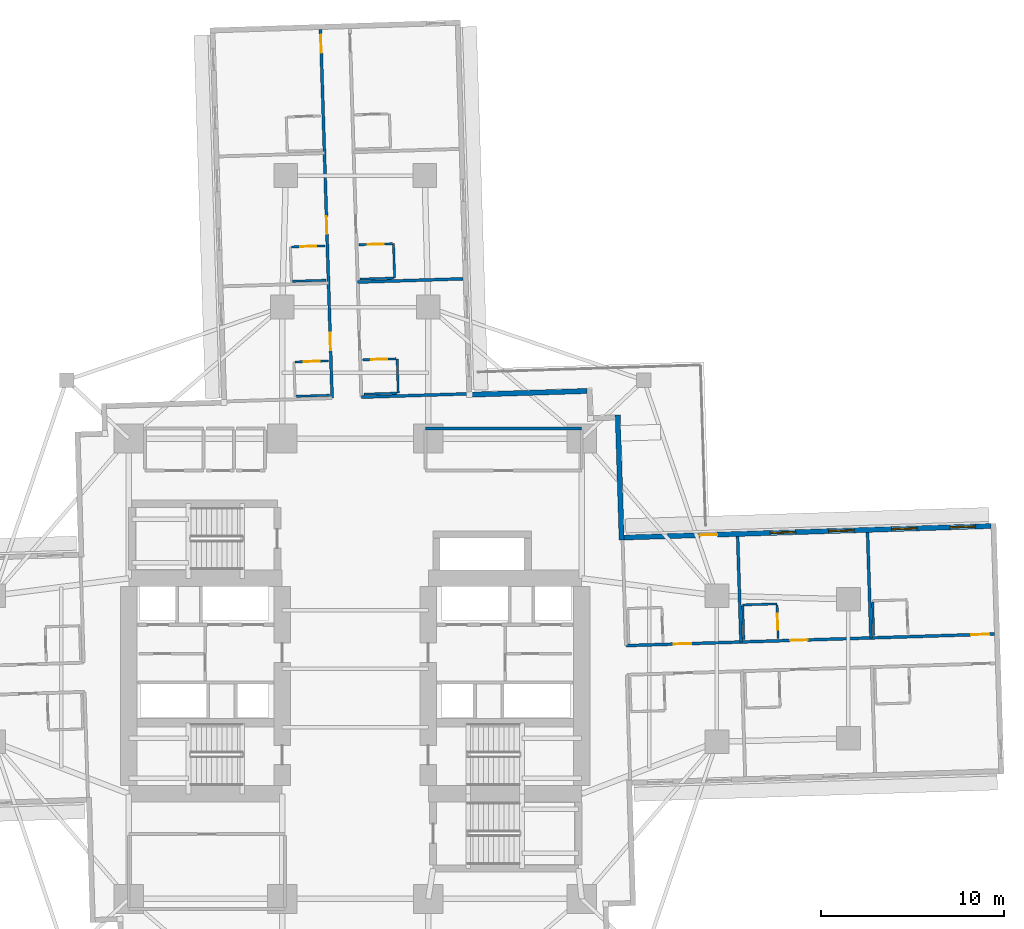
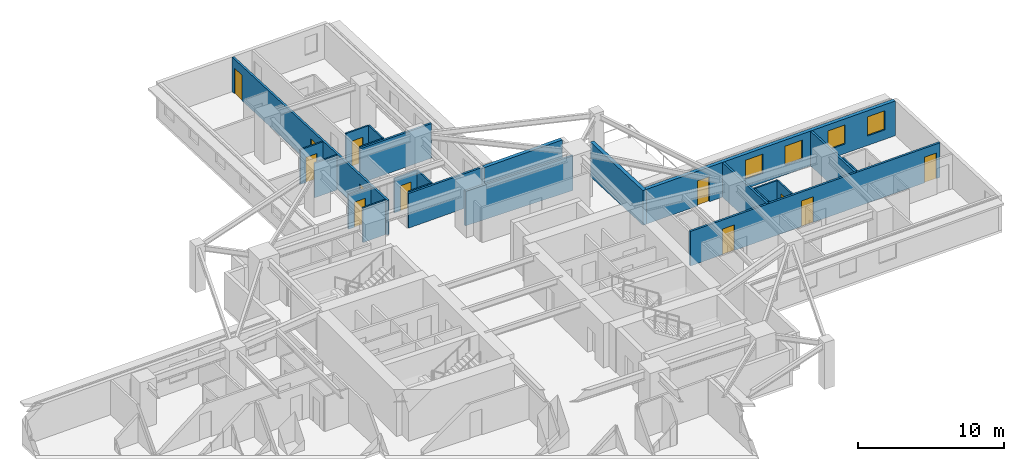
# One storey, part 8 of 15: 24 walls, 12 doors, 4 windows, 16 openings.
"""IFC4 building model written with IfcOpenShell, lengths in metres."""

import ifcopenshell
import ifcopenshell.guid

model = None  # the IFC model being written
_history = None  # IfcOwnerHistory: only IFC2X3 demands one
_inside = {}  # id of a spatial element -> (the spatial element, [elements in it])
_under = {}  # id of a project, library or spatial element -> (it, [spatial elements below it])
_declared = {}  # id of a project -> (the project, [libraries it declares])
_typed = {}  # id of a type object -> (the type object, [elements of that type])
_made_of = {}  # id of a material, layer set ... -> (it, [elements and type objects made of it])


def new_model(schema):
    """Start an empty IFC model of exactly this schema.

    Asked for "IFC4X3", IfcOpenShell would pick the latest addendum, in which some entities
    have other attributes; the version numbers below select the first issue.
    IFC2X3 requires an IfcOwnerHistory on every rooted entity: one is made here for all.
    """
    global model, _history
    if schema == "IFC4X3":
        model = ifcopenshell.file(schema_version=(4, 3, 0, 0))
    else:
        model = ifcopenshell.file(schema=schema)
    _inside.clear()
    _under.clear()
    _declared.clear()
    _typed.clear()
    _made_of.clear()
    _history = None
    if model.schema == "IFC2X3":
        org = make("IfcOrganization", Name="unknown")
        user = make(
            "IfcPersonAndOrganization",
            ThePerson=make("IfcPerson", FamilyName="unknown"),
            TheOrganization=org,
        )
        app = make(
            "IfcApplication",
            ApplicationDeveloper=org,
            Version="unknown",
            ApplicationFullName="unknown",
            ApplicationIdentifier="unknown",
        )
        _history = make(
            "IfcOwnerHistory",
            OwningUser=user,
            OwningApplication=app,
            ChangeAction="ADDED",
            CreationDate=0,
        )
    return model


def make(cls, **values):
    """One entity of the class cls with the attributes given. An attribute that is None is left unset."""
    return model.create_entity(
        cls, **{name: value for name, value in values.items() if value is not None}
    )


def rooted(cls, **values):
    """An entity with a GlobalId (a new one), such as an element, a storey or a relation."""
    return make(cls, GlobalId=ifcopenshell.guid.new(), OwnerHistory=_history, **values)


def si_unit(unit_type, name, prefix=None):
    """IfcSIUnit, for example si_unit("LENGTHUNIT", "METRE", prefix="MILLI")."""
    return make("IfcSIUnit", UnitType=unit_type, Prefix=prefix, Name=name)


def assignment(units):
    """IfcUnitAssignment: the units of a project."""
    return None if units is None else make("IfcUnitAssignment", Units=units)


def point(xyz):
    """IfcCartesianPoint."""
    return None if xyz is None else make("IfcCartesianPoint", Coordinates=xyz)


def direction(xyz):
    """IfcDirection."""
    return None if xyz is None else make("IfcDirection", DirectionRatios=xyz)


def frame(location, z_axis=None, x_axis=None):
    """IfcAxis2Placement3D, a coordinate frame: its origin and axes. An axis left out is left unset."""
    return make(
        "IfcAxis2Placement3D",
        Location=point(location),
        Axis=direction(z_axis),
        RefDirection=direction(x_axis),
    )


def frame_2d(location, x_axis=None):
    """IfcAxis2Placement2D, a coordinate frame in the plane: its origin and x axis."""
    return make(
        "IfcAxis2Placement2D", Location=point(location), RefDirection=direction(x_axis)
    )


def origin():
    """The frame at (0, 0, 0) with its axes left unset."""
    return frame((0.0, 0.0, 0.0))


def place(relative_to, where):
    """IfcLocalPlacement: puts the frame where relative to a parent placement (None: the world)."""
    return make(
        "IfcLocalPlacement", PlacementRelTo=relative_to, RelativePlacement=where
    )


def context(
    kind, dimensions, precision=None, world=None, true_north=None, identifier=None
):
    """IfcGeometricRepresentationContext, for example the 3D "Model" context."""
    return make(
        "IfcGeometricRepresentationContext",
        ContextIdentifier=identifier,
        ContextType=kind,
        CoordinateSpaceDimension=dimensions,
        Precision=precision,
        WorldCoordinateSystem=world,
        TrueNorth=true_north,
    )


def subcontext(parent, identifier, kind, view, scale=None):
    """IfcGeometricRepresentationSubContext, for example "Body" below "Model"."""
    return make(
        "IfcGeometricRepresentationSubContext",
        ContextIdentifier=identifier,
        ContextType=kind,
        ParentContext=parent,
        TargetScale=scale,
        TargetView=view,
    )


def project(units=None, contexts=None):
    """IfcProject with its units and contexts."""
    return rooted(
        "IfcProject",
        Name="project",
        RepresentationContexts=contexts,
        UnitsInContext=assignment(units),
    )


def spatial(cls, under=None, at=None, **own):
    """A site, building, storey or space (cls), placed at a placement, below another one or the project."""
    s = rooted(cls, ObjectPlacement=at, **own)
    if under is not None:
        _under.setdefault(under.id(), (under, []))[1].append(s)
    return s


def profile(cls, at=None, kind="AREA", **sizes):
    """A parametric profile (cls). Its sizes go by their IFC names, for example OverallWidth=200.0."""
    return make(cls, ProfileType=kind, Position=at, **sizes)


def rectangle(**sizes):
    """IfcRectangleProfileDef."""
    return profile("IfcRectangleProfileDef", **sizes)


def extrude(swept, where, along, depth):
    """IfcExtrudedAreaSolid: the profile swept, set in the frame where, extruded along a direction by depth."""
    return make(
        "IfcExtrudedAreaSolid",
        SweptArea=swept,
        Position=where,
        ExtrudedDirection=direction(along),
        Depth=depth,
    )


def shape(context_of_items, identifier, shape_type, items):
    """IfcShapeRepresentation: the items that make up one representation, for example the "Body"."""
    return make(
        "IfcShapeRepresentation",
        ContextOfItems=context_of_items,
        RepresentationIdentifier=identifier,
        RepresentationType=shape_type,
        Items=items,
    )


def material(Name=None, Category=None):
    """IfcMaterial."""
    return make("IfcMaterial", Name=Name, Category=Category)


def layer(
    of_material, thickness, ventilated=None, Name=None, Category=None, Priority=None
):
    """IfcMaterialLayer: one layer of a wall or slab, of a material (None: an air gap)."""
    return make(
        "IfcMaterialLayer",
        Material=of_material,
        LayerThickness=thickness,
        IsVentilated=ventilated,
        Name=Name,
        Category=Category,
        Priority=Priority,
    )


def layer_set(layers, Name=None):
    """IfcMaterialLayerSet."""
    return make("IfcMaterialLayerSet", MaterialLayers=layers, LayerSetName=Name)


def made_of(thing, what):
    """Note that an element or type object is made of a material, layer set ...; save() writes the relation."""
    if what is not None:
        _made_of.setdefault(what.id(), (what, []))[1].append(thing)
    return thing


def type_object(cls, material=None, **own):
    """A type object (cls), such as IfcWallType, which elements share."""
    return made_of(rooted(cls, **own), material)


def element(
    cls,
    number,
    at=None,
    inside=None,
    cuts=None,
    type_object=None,
    material=None,
    context=None,
    identifier="Body",
    shape_type=None,
    held_by="IfcProductDefinitionShape",
    body=None,
    shapes=None,
    **own,
):
    """One element of the class cls, such as IfcWall. Its Tag is "e" and its number.

    at: its placement. inside: the storey or other place that contains it. cuts: it is an
    opening in that element (IfcRelVoidsElement). A single representation is given by context,
    identifier, shape_type and body (its items); several are given by shapes. held_by: the class
    of the entity that holds the representations. save() writes the other relations.
    """
    e = rooted(cls, Tag="e%d" % number, ObjectPlacement=at, **own)
    if body is not None:
        shapes = [shape(context, identifier, shape_type, body)]
    if shapes is not None:
        e.Representation = make(held_by, Representations=shapes)
    if inside is not None:
        _inside.setdefault(inside.id(), (inside, []))[1].append(e)
    if cuts is not None:
        rooted(
            "IfcRelVoidsElement", RelatingBuildingElement=cuts, RelatedOpeningElement=e
        )
    if type_object is not None:
        _typed.setdefault(type_object.id(), (type_object, []))[1].append(e)
    return made_of(e, material)


def fill(opening, filler):
    """IfcRelFillsElement: the door or window that sits in an opening."""
    return rooted(
        "IfcRelFillsElement",
        RelatingOpeningElement=opening,
        RelatedBuildingElement=filler,
    )


def aggregate(whole, parts):
    """IfcRelAggregates: a whole, such as a stair, and the parts it consists of."""
    return rooted("IfcRelAggregates", RelatingObject=whole, RelatedObjects=parts)


def save(model, path):
    """Write the relations noted so far, then the file.

    IfcRelAggregates (storeys below a building ...), IfcRelContainedInSpatialStructure (elements
    in a storey), IfcRelDefinesByType, IfcRelAssociatesMaterial and IfcRelDeclares: one each for
    every whole, place, type object, material and project.
    """
    for whole, parts in _under.values():
        aggregate(whole, parts)
    for where, things in _inside.values():
        rooted(
            "IfcRelContainedInSpatialStructure",
            RelatedElements=things,
            RelatingStructure=where,
        )
    for kind, things in _typed.values():
        rooted("IfcRelDefinesByType", RelatedObjects=things, RelatingType=kind)
    for what, things in _made_of.values():
        rooted("IfcRelAssociatesMaterial", RelatedObjects=things, RelatingMaterial=what)
    for by, libraries in _declared.values():
        rooted("IfcRelDeclares", RelatingContext=by, RelatedDefinitions=libraries)
    model.write(path)


model = new_model("IFC4")

# Units and contexts
model_context = context("Model", 3, precision=1e-05, world=origin(), true_north=direction((0.0, 1.0)))
body_context = subcontext(model_context, "Body", "Model", "MODEL_VIEW")
ifc_project = project(units=[si_unit("LENGTHUNIT", "METRE"), si_unit("AREAUNIT", "SQUARE_METRE"), si_unit("VOLUMEUNIT", "CUBIC_METRE"), si_unit("PLANEANGLEUNIT", "RADIAN"), si_unit("MASSUNIT", "GRAM", prefix="KILO")], contexts=[model_context])

# Site, building, storey
site_placement = place(None, origin())
site = spatial("IfcSite", under=ifc_project, at=site_placement, CompositionType="ELEMENT")
building_placement = place(site_placement, origin())
building = spatial("IfcBuilding", under=site, at=building_placement, Name="Qingluan Cross Belvedere", CompositionType="ELEMENT")
storey_placement = place(building_placement, frame((0.0, 0.0, 31.5)))
storey = spatial("IfcBuildingStorey", under=building, at=storey_placement, Name="L08", CompositionType="ELEMENT", Elevation=31.5)

# Wall
ifc_material_1 = material(Name="Gypsum plasterboard on steel stud acoustic partition", Category="steel")
ifc_layer_1 = layer(ifc_material_1, 0.159912109375, Name="CorridorPartition_160")
ifc_layer_set_1 = layer_set([ifc_layer_1], Name="Gypsum plasterboard on steel stud acoustic partition")
wall_type_1 = type_object("IfcWallType", Name="CorridorPartition_160", PredefinedType="PARTITIONING", material=ifc_layer_set_1)
wall_1_placement = place(storey_placement, frame((3.85009765625, 13.14990234375, 0.0), z_axis=(0.0, 0.0, 1.0), x_axis=(1.0, 0.0, 0.0)))
element("IfcWall", 1, at=wall_1_placement, inside=storey, type_object=wall_type_1, Name="Partition L08:q_ne:N", PredefinedType="PARTITIONING", context=body_context, shape_type="SweptSolid", body=[
    extrude(rectangle(XDim=8.5498046875, YDim=0.159912109375, at=frame_2d((4.27490234375, 0.0))), origin(), (0.0, 0.0, 1.0), 2.89990234375),
])

# Wall, openings, doors
wall_2_placement = place(storey_placement, frame((14.8173828125, 1.26611328125, 0.0), z_axis=(0.0, 0.0, 1.0), x_axis=(0.9995067864, 0.031403565719, 0.0)))
wall_2 = element("IfcWall", 2, at=wall_2_placement, inside=storey, type_object=wall_type_1, Name="Partition L08:E:c0", PredefinedType="PARTITIONING", context=body_context, shape_type="SweptSolid", body=[
    extrude(rectangle(XDim=20.18212890625, YDim=0.159912109375, at=frame_2d((10.091064453125, 0.0))), origin(), (0.0, 0.0, 1.0), 2.89990234375),
])
opening_1_placement = place(wall_2_placement, frame((2.610107421875, 0.0, 0.0)))
opening_1 = element("IfcOpeningElement", 3, at=opening_1_placement, cuts=wall_2, Name="Opening GD-10", PredefinedType="OPENING", context=body_context, shape_type="SweptSolid", body=[
    extrude(rectangle(XDim=0.9599609375, YDim=2.14990234375, at=frame_2d((0.47998046875, 1.074951171875))), frame((0.0, 0.08984375, 0.0), z_axis=(0.0, -1.0, 0.0), x_axis=(1.0, 0.0, 0.0)), (0.0, 0.0, 1.0), 0.179931640625),
])
opening_2_placement = place(wall_2_placement, frame((8.993896484375, 0.0, 0.0)))
opening_2 = element("IfcOpeningElement", 4, at=opening_2_placement, cuts=wall_2, Name="Opening GD-10", PredefinedType="OPENING", context=body_context, shape_type="SweptSolid", body=[
    extrude(rectangle(XDim=0.9599609375, YDim=2.14990234375, at=frame_2d((0.47998046875, 1.074951171875))), frame((0.0, 0.08984375, 0.0), z_axis=(0.0, -1.0, 0.0), x_axis=(1.0, 0.0, 0.0)), (0.0, 0.0, 1.0), 0.179931640625),
])
opening_3_placement = place(wall_2_placement, frame((18.929931640625, 0.0, 0.0)))
opening_3 = element("IfcOpeningElement", 5, at=opening_3_placement, cuts=wall_2, Name="Opening GD-10", PredefinedType="OPENING", context=body_context, shape_type="SweptSolid", body=[
    extrude(rectangle(XDim=0.9599609375, YDim=2.14990234375, at=frame_2d((0.47998046875, 1.074951171875))), frame((0.0, 0.08984375, 0.0), z_axis=(0.0, -1.0, 0.0), x_axis=(1.0, 0.0, 0.0)), (0.0, 0.0, 1.0), 0.179931640625),
])
ifc_material_2 = material(Name="Timber oak fire-rated acoustic guestroom door", Category="wood")
door_type_1 = type_object("IfcDoorType", Name="GuestEntryDoor_FD60", OperationType="NOTDEFINED", PredefinedType="DOOR", material=ifc_material_2)
door_1_placement = place(opening_1_placement, origin())
door_1 = element("IfcDoor", 6, at=door_1_placement, inside=storey, type_object=door_type_1, Name="Guest entry fire door 0801", OperationType="SINGLE_SWING_LEFT", OverallHeight=2.14990234375, OverallWidth=0.9599609375, PredefinedType="DOOR", context=body_context, shape_type="SweptSolid", body=[
    extrude(rectangle(XDim=0.9599609375, YDim=2.14990234375, at=frame_2d((0.47998046875, 1.074951171875))), frame((0.0, 0.02490234375, 0.0), z_axis=(0.0, -1.0, 0.0), x_axis=(1.0, 0.0, 0.0)), (0.0, 0.0, 1.0), 0.050048828125),
])
fill(opening_1, door_1)
door_2_placement = place(opening_2_placement, origin())
door_2 = element("IfcDoor", 7, at=door_2_placement, inside=storey, type_object=door_type_1, Name="Guest entry fire door 0802", OperationType="SINGLE_SWING_LEFT", OverallHeight=2.14990234375, OverallWidth=0.9599609375, PredefinedType="DOOR", context=body_context, shape_type="SweptSolid", body=[
    extrude(rectangle(XDim=0.9599609375, YDim=2.14990234375, at=frame_2d((0.47998046875, 1.074951171875))), frame((0.0, 0.02490234375, 0.0), z_axis=(0.0, -1.0, 0.0), x_axis=(1.0, 0.0, 0.0)), (0.0, 0.0, 1.0), 0.050048828125),
])
fill(opening_2, door_2)
door_3_placement = place(opening_3_placement, origin())
door_3 = element("IfcDoor", 8, at=door_3_placement, inside=storey, type_object=door_type_1, Name="Guest entry fire door 0803", OperationType="SINGLE_SWING_LEFT", OverallHeight=2.14990234375, OverallWidth=0.9599609375, PredefinedType="DOOR", context=body_context, shape_type="SweptSolid", body=[
    extrude(rectangle(XDim=0.9599609375, YDim=2.14990234375, at=frame_2d((0.47998046875, 1.074951171875))), frame((0.0, 0.02490234375, 0.0), z_axis=(0.0, -1.0, 0.0), x_axis=(1.0, 0.0, 0.0)), (0.0, 0.0, 1.0), 0.050048828125),
])
fill(opening_3, door_3)

# Walls
wall_3_placement = place(storey_placement, frame((21.116455078125, 1.464111328125, 0.0), z_axis=(0.0, 0.0, 1.0), x_axis=(-0.031427548972, 0.999506032581, 0.0)))
element("IfcWall", 9, at=wall_3_placement, inside=storey, type_object=wall_type_1, Name="Partition L08:E:d0_0", PredefinedType="PARTITIONING", context=body_context, shape_type="SweptSolid", body=[
    extrude(rectangle(XDim=5.77197265625, YDim=0.159912109375, at=frame_2d((2.885986328125, 0.0))), origin(), (0.0, 0.0, 1.0), 2.89990234375),
])
wall_4_placement = place(storey_placement, frame((28.22900390625, 1.6875, 0.0), z_axis=(0.0, 0.0, 1.0), x_axis=(-0.031426220357, 0.999506074356, 0.0)))
element("IfcWall", 10, at=wall_4_placement, inside=storey, type_object=wall_type_1, Name="Partition L08:E:d0_1", PredefinedType="PARTITIONING", context=body_context, shape_type="SweptSolid", body=[
    extrude(rectangle(XDim=5.772216796875, YDim=0.159912109375, at=frame_2d((2.88623046875, 0.0))), origin(), (0.0, 0.0, 1.0), 2.89990234375),
])
wall_5_placement = place(storey_placement, frame((0.333251953125, 14.867919921875, 0.0), z_axis=(0.0, 0.0, 1.0), x_axis=(0.999507397699, 0.031384103385, 0.0)))
element("IfcWall", 11, at=wall_5_placement, inside=storey, type_object=wall_type_1, Name="Partition L08:N:s0", PredefinedType="PARTITIONING", context=body_context, shape_type="SweptSolid", body=[
    extrude(rectangle(XDim=5.919921875, YDim=0.159912109375, at=frame_2d((2.9599609375, 0.0))), origin(), (0.0, 0.0, 1.0), 2.89990234375),
])
wall_6_placement = place(storey_placement, frame((0.13525390625, 21.166748046875, 0.0), z_axis=(0.0, 0.0, 1.0), x_axis=(0.999507360361, 0.031385292484, 0.0)))
element("IfcWall", 12, at=wall_6_placement, inside=storey, type_object=wall_type_1, Name="Partition L08:N:d0_0", PredefinedType="PARTITIONING", context=body_context, shape_type="SweptSolid", body=[
    extrude(rectangle(XDim=5.77197265625, YDim=0.159912109375, at=frame_2d((2.885986328125, 0.0))), origin(), (0.0, 0.0, 1.0), 2.89990234375),
])

# Wall, openings, doors
wall_7_placement = place(storey_placement, frame((-1.26611328125, 14.8173828125, 0.0), z_axis=(0.0, 0.0, 1.0), x_axis=(-0.031403565719, 0.9995067864, 0.0)))
wall_7 = element("IfcWall", 13, at=wall_7_placement, inside=storey, type_object=wall_type_1, Name="Partition L08:N:c1", PredefinedType="PARTITIONING", context=body_context, shape_type="SweptSolid", body=[
    extrude(rectangle(XDim=20.18212890625, YDim=0.159912109375, at=frame_2d((10.091064453125, 0.0))), origin(), (0.0, 0.0, 1.0), 2.89990234375),
])
opening_4_placement = place(wall_7_placement, frame((2.610107421875, 0.0, 0.0)))
opening_4 = element("IfcOpeningElement", 14, at=opening_4_placement, cuts=wall_7, Name="Opening GD-10", PredefinedType="OPENING", context=body_context, shape_type="SweptSolid", body=[
    extrude(rectangle(XDim=0.9599609375, YDim=2.14990234375, at=frame_2d((0.47998046875, 1.074951171875))), frame((0.0, 0.08984375, 0.0), z_axis=(0.0, -1.0, 0.0), x_axis=(1.0, 0.0, 0.0)), (0.0, 0.0, 1.0), 0.179931640625),
])
opening_5_placement = place(wall_7_placement, frame((8.993896484375, 0.0, 0.0)))
opening_5 = element("IfcOpeningElement", 15, at=opening_5_placement, cuts=wall_7, Name="Opening GD-10", PredefinedType="OPENING", context=body_context, shape_type="SweptSolid", body=[
    extrude(rectangle(XDim=0.9599609375, YDim=2.14990234375, at=frame_2d((0.47998046875, 1.074951171875))), frame((0.0, 0.08984375, 0.0), z_axis=(0.0, -1.0, 0.0), x_axis=(1.0, 0.0, 0.0)), (0.0, 0.0, 1.0), 0.179931640625),
])
opening_6_placement = place(wall_7_placement, frame((18.929931640625, 0.0, 0.0)))
opening_6 = element("IfcOpeningElement", 16, at=opening_6_placement, cuts=wall_7, Name="Opening GD-10", PredefinedType="OPENING", context=body_context, shape_type="SweptSolid", body=[
    extrude(rectangle(XDim=0.9599609375, YDim=2.14990234375, at=frame_2d((0.47998046875, 1.074951171875))), frame((0.0, 0.08984375, 0.0), z_axis=(0.0, -1.0, 0.0), x_axis=(1.0, 0.0, 0.0)), (0.0, 0.0, 1.0), 0.179931640625),
])
door_4_placement = place(opening_4_placement, origin())
door_4 = element("IfcDoor", 17, at=door_4_placement, inside=storey, type_object=door_type_1, Name="Guest entry fire door 0816", OperationType="SINGLE_SWING_LEFT", OverallHeight=2.14990234375, OverallWidth=0.9599609375, PredefinedType="DOOR", context=body_context, shape_type="SweptSolid", body=[
    extrude(rectangle(XDim=0.9599609375, YDim=2.14990234375, at=frame_2d((0.47998046875, 1.074951171875))), frame((0.0, 0.02490234375, 0.0), z_axis=(0.0, -1.0, 0.0), x_axis=(1.0, 0.0, 0.0)), (0.0, 0.0, 1.0), 0.050048828125),
])
fill(opening_4, door_4)
door_5_placement = place(opening_5_placement, origin())
door_5 = element("IfcDoor", 18, at=door_5_placement, inside=storey, type_object=door_type_1, Name="Guest entry fire door 0817", OperationType="SINGLE_SWING_LEFT", OverallHeight=2.14990234375, OverallWidth=0.9599609375, PredefinedType="DOOR", context=body_context, shape_type="SweptSolid", body=[
    extrude(rectangle(XDim=0.9599609375, YDim=2.14990234375, at=frame_2d((0.47998046875, 1.074951171875))), frame((0.0, 0.02490234375, 0.0), z_axis=(0.0, -1.0, 0.0), x_axis=(1.0, 0.0, 0.0)), (0.0, 0.0, 1.0), 0.050048828125),
])
fill(opening_5, door_5)
door_6_placement = place(opening_6_placement, origin())
door_6 = element("IfcDoor", 19, at=door_6_placement, inside=storey, type_object=door_type_1, Name="Guest entry fire door 0818", OperationType="SINGLE_SWING_LEFT", OverallHeight=2.14990234375, OverallWidth=0.9599609375, PredefinedType="DOOR", context=body_context, shape_type="SweptSolid", body=[
    extrude(rectangle(XDim=0.9599609375, YDim=2.14990234375, at=frame_2d((0.47998046875, 1.074951171875))), frame((0.0, 0.02490234375, 0.0), z_axis=(0.0, -1.0, 0.0), x_axis=(1.0, 0.0, 0.0)), (0.0, 0.0, 1.0), 0.050048828125),
])
fill(opening_6, door_6)

# Wall, opening, door
ifc_material_3 = material(Name="Moisture-resistant gypsum board lining")
ifc_layer_2 = layer(ifc_material_3, 0.1201171875, Name="EnsuiteWetPartition_120")
ifc_layer_set_2 = layer_set([ifc_layer_2], Name="Moisture-resistant gypsum board lining")
wall_type_2 = type_object("IfcWallType", Name="EnsuiteWetPartition_120", PredefinedType="PARTITIONING", material=ifc_layer_set_2)
wall_8_placement = place(storey_placement, frame((23.15087890625, 1.66796875, 0.0), z_axis=(0.0, 0.0, 1.0), x_axis=(-0.031255692016, 0.999511421504, 0.0)))
wall_8 = element("IfcWall", 20, at=wall_8_placement, inside=storey, type_object=wall_type_2, Name="Partition L08:E:bs0_1", PredefinedType="PARTITIONING", context=body_context, shape_type="SweptSolid", body=[
    extrude(rectangle(XDim=1.820068359375, YDim=0.1201171875, at=frame_2d((0.91015625, 0.0))), origin(), (0.0, 0.0, 1.0), 2.89990234375),
])
opening_7_placement = place(wall_8_placement, frame((0.469970703125, 0.0, 0.0)))
opening_7 = element("IfcOpeningElement", 21, at=opening_7_placement, cuts=wall_8, Name="Opening BD-09", PredefinedType="OPENING", context=body_context, shape_type="SweptSolid", body=[
    extrude(rectangle(XDim=0.8798828125, YDim=2.10009765625, at=frame_2d((0.43994140625, 1.050048828125))), frame((0.0, 0.070068359375, 0.0), z_axis=(0.0, -1.0, 0.0), x_axis=(1.0, 0.0, 0.0)), (0.0, 0.0, 1.0), 0.14013671875),
])
ifc_material_4 = material(Name="Moisture-sealed timber en-suite door", Category="wood")
door_type_2 = type_object("IfcDoorType", Name="BathroomDoor_880", OperationType="NOTDEFINED", PredefinedType="DOOR", material=ifc_material_4)
door_7_placement = place(opening_7_placement, origin())
door_7 = element("IfcDoor", 22, at=door_7_placement, inside=storey, type_object=door_type_2, Name="Bathroom door 0802", OperationType="SINGLE_SWING_RIGHT", OverallHeight=2.10009765625, OverallWidth=0.8798828125, PredefinedType="DOOR", context=body_context, shape_type="SweptSolid", body=[
    extrude(rectangle(XDim=0.8798828125, YDim=2.10009765625, at=frame_2d((0.43994140625, 1.050048828125))), frame((0.0, 0.02490234375, 0.0), z_axis=(0.0, -1.0, 0.0), x_axis=(1.0, 0.0, 0.0)), (0.0, 0.0, 1.0), 0.050048828125),
])
fill(opening_7, door_7)

# Walls
wall_9_placement = place(storey_placement, frame((21.27197265625, 1.60888671875, 0.0), z_axis=(0.0, 0.0, 1.0), x_axis=(-0.031389704724, 0.999507221803, 0.0)))
element("IfcWall", 23, at=wall_9_placement, inside=storey, type_object=wall_type_2, Name="Partition L08:E:bw0_1", PredefinedType="PARTITIONING", context=body_context, shape_type="SweptSolid", body=[
    extrude(rectangle(XDim=1.820068359375, YDim=0.1201171875, at=frame_2d((0.91015625, 0.0))), origin(), (0.0, 0.0, 1.0), 2.89990234375),
])
wall_10_placement = place(storey_placement, frame((21.212646484375, 3.492919921875, 0.0), z_axis=(0.0, 0.0, 1.0), x_axis=(0.999506103526, 0.031425292588, 0.0)))
element("IfcWall", 24, at=wall_10_placement, inside=storey, type_object=wall_type_2, Name="Partition L08:E:bn0_1", PredefinedType="PARTITIONING", context=body_context, shape_type="SweptSolid", body=[
    extrude(rectangle(XDim=1.880126953125, YDim=0.1201171875, at=frame_2d((0.93994140625, 0.0))), origin(), (0.0, 0.0, 1.0), 2.89990234375),
])
wall_11_placement = place(storey_placement, frame((28.384521484375, 1.83251953125, 0.0), z_axis=(0.0, 0.0, 1.0), x_axis=(-0.031389704724, 0.999507221803, 0.0)))
element("IfcWall", 25, at=wall_11_placement, inside=storey, type_object=wall_type_2, Name="Partition L08:E:bw0_2", PredefinedType="PARTITIONING", context=body_context, shape_type="SweptSolid", body=[
    extrude(rectangle(XDim=1.820068359375, YDim=0.1201171875, at=frame_2d((0.91015625, 0.0))), origin(), (0.0, 0.0, 1.0), 2.89990234375),
])

# Wall, opening, door
wall_12_placement = place(storey_placement, frame((0.408935546875, 16.9111328125, 0.0), z_axis=(0.0, 0.0, 1.0), x_axis=(0.999503004171, 0.03152371574, 0.0)))
wall_12 = element("IfcWall", 26, at=wall_12_placement, inside=storey, type_object=wall_type_2, Name="Partition L08:N:bs0_0", PredefinedType="PARTITIONING", context=body_context, shape_type="SweptSolid", body=[
    extrude(rectangle(XDim=1.820068359375, YDim=0.1201171875, at=frame_2d((0.91015625, 0.0))), origin(), (0.0, 0.0, 1.0), 2.89990234375),
])
opening_8_placement = place(wall_12_placement, frame((0.469970703125, 0.0, 0.0)))
opening_8 = element("IfcOpeningElement", 27, at=opening_8_placement, cuts=wall_12, Name="Opening BD-09", PredefinedType="OPENING", context=body_context, shape_type="SweptSolid", body=[
    extrude(rectangle(XDim=0.8798828125, YDim=2.10009765625, at=frame_2d((0.43994140625, 1.050048828125))), frame((0.0, 0.070068359375, 0.0), z_axis=(0.0, -1.0, 0.0), x_axis=(1.0, 0.0, 0.0)), (0.0, 0.0, 1.0), 0.14013671875),
])
door_8_placement = place(opening_8_placement, origin())
door_8 = element("IfcDoor", 28, at=door_8_placement, inside=storey, type_object=door_type_2, Name="Bathroom door 0813", OperationType="SINGLE_SWING_RIGHT", OverallHeight=2.10009765625, OverallWidth=0.8798828125, PredefinedType="DOOR", context=body_context, shape_type="SweptSolid", body=[
    extrude(rectangle(XDim=0.8798828125, YDim=2.10009765625, at=frame_2d((0.43994140625, 1.050048828125))), frame((0.0, 0.02490234375, 0.0), z_axis=(0.0, -1.0, 0.0), x_axis=(1.0, 0.0, 0.0)), (0.0, 0.0, 1.0), 0.050048828125),
])
fill(opening_8, door_8)

# Walls
wall_13_placement = place(storey_placement, frame((0.468017578125, 15.031982421875, 0.0), z_axis=(0.0, 0.0, 1.0), x_axis=(0.999503004171, 0.03152371574, 0.0)))
element("IfcWall", 29, at=wall_13_placement, inside=storey, type_object=wall_type_2, Name="Partition L08:N:bw0_0", PredefinedType="PARTITIONING", context=body_context, shape_type="SweptSolid", body=[
    extrude(rectangle(XDim=1.820068359375, YDim=0.1201171875, at=frame_2d((0.91015625, 0.0))), origin(), (0.0, 0.0, 1.0), 2.89990234375),
])
wall_14_placement = place(storey_placement, frame((2.35205078125, 15.09130859375, 0.0), z_axis=(0.0, 0.0, 1.0), x_axis=(-0.031295563454, 0.999510173889, 0.0)))
element("IfcWall", 30, at=wall_14_placement, inside=storey, type_object=wall_type_2, Name="Partition L08:N:bn0_0", PredefinedType="PARTITIONING", context=body_context, shape_type="SweptSolid", body=[
    extrude(rectangle(XDim=1.880126953125, YDim=0.1201171875, at=frame_2d((0.93994140625, 0.0))), origin(), (0.0, 0.0, 1.0), 2.89990234375),
])

# Wall, opening, door
wall_15_placement = place(storey_placement, frame((0.211181640625, 23.210205078125, 0.0), z_axis=(0.0, 0.0, 1.0), x_axis=(0.999511421504, 0.031255692016, 0.0)))
wall_15 = element("IfcWall", 31, at=wall_15_placement, inside=storey, type_object=wall_type_2, Name="Partition L08:N:bs0_1", PredefinedType="PARTITIONING", context=body_context, shape_type="SweptSolid", body=[
    extrude(rectangle(XDim=1.820068359375, YDim=0.1201171875, at=frame_2d((0.91015625, 0.0))), origin(), (0.0, 0.0, 1.0), 2.89990234375),
])
opening_9_placement = place(wall_15_placement, frame((0.469970703125, 0.0, 0.0)))
opening_9 = element("IfcOpeningElement", 32, at=opening_9_placement, cuts=wall_15, Name="Opening BD-09", PredefinedType="OPENING", context=body_context, shape_type="SweptSolid", body=[
    extrude(rectangle(XDim=0.8798828125, YDim=2.10009765625, at=frame_2d((0.43994140625, 1.050048828125))), frame((0.0, 0.070068359375, 0.0), z_axis=(0.0, -1.0, 0.0), x_axis=(1.0, 0.0, 0.0)), (0.0, 0.0, 1.0), 0.14013671875),
])
door_9_placement = place(opening_9_placement, origin())
door_9 = element("IfcDoor", 33, at=door_9_placement, inside=storey, type_object=door_type_2, Name="Bathroom door 0814", OperationType="SINGLE_SWING_RIGHT", OverallHeight=2.10009765625, OverallWidth=0.8798828125, PredefinedType="DOOR", context=body_context, shape_type="SweptSolid", body=[
    extrude(rectangle(XDim=0.8798828125, YDim=2.10009765625, at=frame_2d((0.43994140625, 1.050048828125))), frame((0.0, 0.02490234375, 0.0), z_axis=(0.0, -1.0, 0.0), x_axis=(1.0, 0.0, 0.0)), (0.0, 0.0, 1.0), 0.050048828125),
])
fill(opening_9, door_9)

# Walls
wall_16_placement = place(storey_placement, frame((0.27001953125, 21.3310546875, 0.0), z_axis=(0.0, 0.0, 1.0), x_axis=(0.999507221803, 0.031389704724, 0.0)))
element("IfcWall", 34, at=wall_16_placement, inside=storey, type_object=wall_type_2, Name="Partition L08:N:bw0_1", PredefinedType="PARTITIONING", context=body_context, shape_type="SweptSolid", body=[
    extrude(rectangle(XDim=1.820068359375, YDim=0.1201171875, at=frame_2d((0.91015625, 0.0))), origin(), (0.0, 0.0, 1.0), 2.89990234375),
])
wall_17_placement = place(storey_placement, frame((2.154296875, 21.39013671875, 0.0), z_axis=(0.0, 0.0, 1.0), x_axis=(-0.031425292588, 0.999506103526, 0.0)))
element("IfcWall", 35, at=wall_17_placement, inside=storey, type_object=wall_type_2, Name="Partition L08:N:bn0_1", PredefinedType="PARTITIONING", context=body_context, shape_type="SweptSolid", body=[
    extrude(rectangle(XDim=1.880126953125, YDim=0.1201171875, at=frame_2d((0.93994140625, 0.0))), origin(), (0.0, 0.0, 1.0), 2.89990234375),
])

# Wall, opening, door
wall_18_placement = place(storey_placement, frame((-3.289306640625, 16.794921875, 0.0), z_axis=(0.0, 0.0, 1.0), x_axis=(0.999507221803, 0.031389704724, 0.0)))
wall_18 = element("IfcWall", 36, at=wall_18_placement, inside=storey, type_object=wall_type_2, Name="Partition L08:N:bs1_0", PredefinedType="PARTITIONING", context=body_context, shape_type="SweptSolid", body=[
    extrude(rectangle(XDim=1.820068359375, YDim=0.1201171875, at=frame_2d((0.91015625, 0.0))), origin(), (0.0, 0.0, 1.0), 2.89990234375),
])
opening_10_placement = place(wall_18_placement, frame((0.469970703125, 0.0, 0.0)))
opening_10 = element("IfcOpeningElement", 37, at=opening_10_placement, cuts=wall_18, Name="Opening BD-09", PredefinedType="OPENING", context=body_context, shape_type="SweptSolid", body=[
    extrude(rectangle(XDim=0.8798828125, YDim=2.10009765625, at=frame_2d((0.43994140625, 1.050048828125))), frame((0.0, 0.070068359375, 0.0), z_axis=(0.0, -1.0, 0.0), x_axis=(1.0, 0.0, 0.0)), (0.0, 0.0, 1.0), 0.14013671875),
])
door_10_placement = place(opening_10_placement, origin())
door_10 = element("IfcDoor", 38, at=door_10_placement, inside=storey, type_object=door_type_2, Name="Bathroom door 0816", OperationType="SINGLE_SWING_RIGHT", OverallHeight=2.10009765625, OverallWidth=0.8798828125, PredefinedType="DOOR", context=body_context, shape_type="SweptSolid", body=[
    extrude(rectangle(XDim=0.8798828125, YDim=2.10009765625, at=frame_2d((0.43994140625, 1.050048828125))), frame((0.0, 0.02490234375, 0.0), z_axis=(0.0, -1.0, 0.0), x_axis=(1.0, 0.0, 0.0)), (0.0, 0.0, 1.0), 0.050048828125),
])
fill(opening_10, door_10)

# Wall
wall_19_placement = place(storey_placement, frame((-3.22998046875, 14.916015625, 0.0), z_axis=(0.0, 0.0, 1.0), x_axis=(0.999507221803, 0.031389704724, 0.0)))
element("IfcWall", 39, at=wall_19_placement, inside=storey, type_object=wall_type_2, Name="Partition L08:N:bw1_0", PredefinedType="PARTITIONING", context=body_context, shape_type="SweptSolid", body=[
    extrude(rectangle(XDim=1.820068359375, YDim=0.1201171875, at=frame_2d((0.91015625, 0.0))), origin(), (0.0, 0.0, 1.0), 2.89990234375),
])

# Wall, opening, door
wall_20_placement = place(storey_placement, frame((-3.487060546875, 23.093994140625, 0.0), z_axis=(0.0, 0.0, 1.0), x_axis=(0.999511421504, 0.031255692016, 0.0)))
wall_20 = element("IfcWall", 40, at=wall_20_placement, inside=storey, type_object=wall_type_2, Name="Partition L08:N:bs1_1", PredefinedType="PARTITIONING", context=body_context, shape_type="SweptSolid", body=[
    extrude(rectangle(XDim=1.820068359375, YDim=0.1201171875, at=frame_2d((0.91015625, 0.0))), origin(), (0.0, 0.0, 1.0), 2.89990234375),
])
opening_11_placement = place(wall_20_placement, frame((0.469970703125, 0.0, 0.0)))
opening_11 = element("IfcOpeningElement", 41, at=opening_11_placement, cuts=wall_20, Name="Opening BD-09", PredefinedType="OPENING", context=body_context, shape_type="SweptSolid", body=[
    extrude(rectangle(XDim=0.8798828125, YDim=2.10009765625, at=frame_2d((0.43994140625, 1.050048828125))), frame((0.0, 0.070068359375, 0.0), z_axis=(0.0, -1.0, 0.0), x_axis=(1.0, 0.0, 0.0)), (0.0, 0.0, 1.0), 0.14013671875),
])
door_11_placement = place(opening_11_placement, origin())
door_11 = element("IfcDoor", 42, at=door_11_placement, inside=storey, type_object=door_type_2, Name="Bathroom door 0817", OperationType="SINGLE_SWING_RIGHT", OverallHeight=2.10009765625, OverallWidth=0.8798828125, PredefinedType="DOOR", context=body_context, shape_type="SweptSolid", body=[
    extrude(rectangle(XDim=0.8798828125, YDim=2.10009765625, at=frame_2d((0.43994140625, 1.050048828125))), frame((0.0, 0.02490234375, 0.0), z_axis=(0.0, -1.0, 0.0), x_axis=(1.0, 0.0, 0.0)), (0.0, 0.0, 1.0), 0.050048828125),
])
fill(opening_11, door_11)

# Wall
wall_21_placement = place(storey_placement, frame((-3.427978515625, 21.21484375, 0.0), z_axis=(0.0, 0.0, 1.0), x_axis=(0.999507221803, 0.031389704724, 0.0)))
element("IfcWall", 43, at=wall_21_placement, inside=storey, type_object=wall_type_2, Name="Partition L08:N:bw1_1", PredefinedType="PARTITIONING", context=body_context, shape_type="SweptSolid", body=[
    extrude(rectangle(XDim=1.820068359375, YDim=0.1201171875, at=frame_2d((0.91015625, 0.0))), origin(), (0.0, 0.0, 1.0), 2.89990234375),
])

# Wall, openings, windows, door
ifc_material_5 = material(Name="Precast concrete C45", Category="concrete")
ifc_layer_3 = layer(ifc_material_5, 0.280029296875, Name="PrecastFacadeWall_280")
ifc_layer_set_3 = layer_set([ifc_layer_3], Name="Precast concrete C45")
wall_type_3 = type_object("IfcWallType", Name="PrecastFacadeWall_280", PredefinedType="STANDARD", material=ifc_layer_set_3)
wall_22_placement = place(storey_placement, frame((34.8115234375, 7.8173828125, 0.0), z_axis=(0.0, 0.0, 1.0), x_axis=(-0.999506574096, -0.031410322165, 0.0)))
wall_22 = element("IfcWall", 44, at=wall_22_placement, inside=storey, type_object=wall_type_3, Name="Facade wall L08-EB", PredefinedType="STANDARD", context=body_context, shape_type="SweptSolid", body=[
    extrude(rectangle(XDim=20.10009765625, YDim=0.280029296875, at=frame_2d((10.050048828125, 0.0))), origin(), (0.0, 0.0, 1.0), 2.909912109375),
])
opening_12_placement = place(wall_22_placement, frame((0.85009765625, 0.0, 0.800048828125)))
opening_12 = element("IfcOpeningElement", 45, at=opening_12_placement, cuts=wall_22, Name="Opening W-01", PredefinedType="OPENING", context=body_context, shape_type="SweptSolid", body=[
    extrude(rectangle(XDim=1.39990234375, YDim=1.60009765625, at=frame_2d((0.699951171875, 0.800048828125))), frame((0.0, 0.14990234375, 0.0), z_axis=(0.0, -1.0, 0.0), x_axis=(1.0, 0.0, 0.0)), (0.0, 0.0, 1.0), 0.300048828125),
])
opening_13_placement = place(wall_22_placement, frame((4.050048828125, 0.0, 0.800048828125)))
opening_13 = element("IfcOpeningElement", 46, at=opening_13_placement, cuts=wall_22, Name="Opening W-01", PredefinedType="OPENING", context=body_context, shape_type="SweptSolid", body=[
    extrude(rectangle(XDim=1.39990234375, YDim=1.60009765625, at=frame_2d((0.699951171875, 0.800048828125))), frame((0.0, 0.14990234375, 0.0), z_axis=(0.0, -1.0, 0.0), x_axis=(1.0, 0.0, 0.0)), (0.0, 0.0, 1.0), 0.300048828125),
])
opening_14_placement = place(wall_22_placement, frame((7.5, 0.0, 0.800048828125)))
opening_14 = element("IfcOpeningElement", 47, at=opening_14_placement, cuts=wall_22, Name="Opening W-01", PredefinedType="OPENING", context=body_context, shape_type="SweptSolid", body=[
    extrude(rectangle(XDim=1.39990234375, YDim=1.60009765625, at=frame_2d((0.699951171875, 0.800048828125))), frame((0.0, 0.14990234375, 0.0), z_axis=(0.0, -1.0, 0.0), x_axis=(1.0, 0.0, 0.0)), (0.0, 0.0, 1.0), 0.300048828125),
])
opening_15_placement = place(wall_22_placement, frame((10.699951171875, 0.0, 0.800048828125)))
opening_15 = element("IfcOpeningElement", 48, at=opening_15_placement, cuts=wall_22, Name="Opening W-01", PredefinedType="OPENING", context=body_context, shape_type="SweptSolid", body=[
    extrude(rectangle(XDim=1.39990234375, YDim=1.60009765625, at=frame_2d((0.699951171875, 0.800048828125))), frame((0.0, 0.14990234375, 0.0), z_axis=(0.0, -1.0, 0.0), x_axis=(1.0, 0.0, 0.0)), (0.0, 0.0, 1.0), 0.300048828125),
])
opening_16_placement = place(wall_22_placement, frame((15.0, 0.0, 0.0)))
opening_16 = element("IfcOpeningElement", 49, at=opening_16_placement, cuts=wall_22, Name="Opening WD-10", PredefinedType="OPENING", context=body_context, shape_type="SweptSolid", body=[
    extrude(rectangle(XDim=0.9599609375, YDim=2.10009765625, at=frame_2d((0.47998046875, 1.050048828125))), frame((0.0, 0.14990234375, 0.0), z_axis=(0.0, -1.0, 0.0), x_axis=(1.0, 0.0, 0.0)), (0.0, 0.0, 1.0), 0.300048828125),
])
ifc_material_6 = material(Name="Thermally broken triple Low-E glass in aluminium frame", Category="aluminium")
window_type = type_object("IfcWindowType", Name="TriRibbonWin_1400x1600", PartitioningType="SINGLE_PANEL", PredefinedType="WINDOW", material=ifc_material_6)
window_1_placement = place(opening_12_placement, origin())
window_1 = element("IfcWindow", 50, at=window_1_placement, inside=storey, type_object=window_type, Name="Ribbon window L08-EB-1", OverallHeight=1.60009765625, OverallWidth=1.39990234375, PartitioningType="SINGLE_PANEL", PredefinedType="WINDOW", context=body_context, shape_type="SweptSolid", body=[
    extrude(rectangle(XDim=1.39990234375, YDim=1.60009765625, at=frame_2d((0.699951171875, 0.800048828125))), frame((0.0, 0.030029296875, 0.0), z_axis=(0.0, -1.0, 0.0), x_axis=(1.0, 0.0, 0.0)), (0.0, 0.0, 1.0), 0.06005859375),
])
fill(opening_12, window_1)
window_2_placement = place(opening_13_placement, origin())
window_2 = element("IfcWindow", 51, at=window_2_placement, inside=storey, type_object=window_type, Name="Ribbon window L08-EB-2", OverallHeight=1.60009765625, OverallWidth=1.39990234375, PartitioningType="SINGLE_PANEL", PredefinedType="WINDOW", context=body_context, shape_type="SweptSolid", body=[
    extrude(rectangle(XDim=1.39990234375, YDim=1.60009765625, at=frame_2d((0.699951171875, 0.800048828125))), frame((0.0, 0.030029296875, 0.0), z_axis=(0.0, -1.0, 0.0), x_axis=(1.0, 0.0, 0.0)), (0.0, 0.0, 1.0), 0.06005859375),
])
fill(opening_13, window_2)
window_3_placement = place(opening_14_placement, origin())
window_3 = element("IfcWindow", 52, at=window_3_placement, inside=storey, type_object=window_type, Name="Ribbon window L08-EB-3", OverallHeight=1.60009765625, OverallWidth=1.39990234375, PartitioningType="SINGLE_PANEL", PredefinedType="WINDOW", context=body_context, shape_type="SweptSolid", body=[
    extrude(rectangle(XDim=1.39990234375, YDim=1.60009765625, at=frame_2d((0.699951171875, 0.800048828125))), frame((0.0, 0.030029296875, 0.0), z_axis=(0.0, -1.0, 0.0), x_axis=(1.0, 0.0, 0.0)), (0.0, 0.0, 1.0), 0.06005859375),
])
fill(opening_14, window_3)
window_4_placement = place(opening_15_placement, origin())
window_4 = element("IfcWindow", 53, at=window_4_placement, inside=storey, type_object=window_type, Name="Ribbon window L08-EB-4", OverallHeight=1.60009765625, OverallWidth=1.39990234375, PartitioningType="SINGLE_PANEL", PredefinedType="WINDOW", context=body_context, shape_type="SweptSolid", body=[
    extrude(rectangle(XDim=1.39990234375, YDim=1.60009765625, at=frame_2d((0.699951171875, 0.800048828125))), frame((0.0, 0.030029296875, 0.0), z_axis=(0.0, -1.0, 0.0), x_axis=(1.0, 0.0, 0.0)), (0.0, 0.0, 1.0), 0.06005859375),
])
fill(opening_15, window_4)
ifc_material_7 = material(Name="Thermally broken aluminium and Low-E glass", Category="aluminium")
door_type_3 = type_object("IfcDoorType", Name="WinterGardenDoor_096", OperationType="NOTDEFINED", PredefinedType="DOOR", material=ifc_material_7)
door_12_placement = place(opening_16_placement, origin())
door_12 = element("IfcDoor", 54, at=door_12_placement, inside=storey, type_object=door_type_3, Name="Outdoor terrace access door L08-spi", OperationType="SINGLE_SWING_LEFT", OverallHeight=2.10009765625, OverallWidth=0.9599609375, PredefinedType="DOOR", context=body_context, shape_type="SweptSolid", body=[
    extrude(rectangle(XDim=0.9599609375, YDim=2.10009765625, at=frame_2d((0.47998046875, 1.050048828125))), frame((0.0, 0.02490234375, 0.0), z_axis=(0.0, -1.0, 0.0), x_axis=(1.0, 0.0, 0.0)), (0.0, 0.0, 1.0), 0.050048828125),
])
fill(opening_16, door_12)

# Walls
wall_23_placement = place(storey_placement, frame((14.5859375, 7.04150390625, 0.0), z_axis=(0.0, 0.0, 1.0), x_axis=(-0.031389189386, 0.999507237988, 0.0)))
element("IfcWall", 55, at=wall_23_placement, inside=storey, type_object=wall_type_3, Name="Corner wall L08-NE1", PredefinedType="STANDARD", context=body_context, shape_type="SweptSolid", body=[
    extrude(rectangle(XDim=6.860107421875, YDim=0.280029296875, at=frame_2d((3.43017578125, 0.0))), origin(), (0.0, 0.0, 1.0), 2.909912109375),
])
wall_24_placement = place(storey_placement, frame((12.688720703125, 15.2060546875, 0.0), z_axis=(0.0, 0.0, 1.0), x_axis=(-0.999507262922, -0.031388395416, 0.0)))
element("IfcWall", 56, at=wall_24_placement, inside=storey, type_object=wall_type_3, Name="Corner wall L08-NE4", PredefinedType="STANDARD", context=body_context, shape_type="SweptSolid", body=[
    extrude(rectangle(XDim=6.30029296875, YDim=0.280029296875, at=frame_2d((3.150146484375, 0.0))), origin(), (0.0, 0.0, 1.0), 2.909912109375),
])

save(model, "model.ifc")
